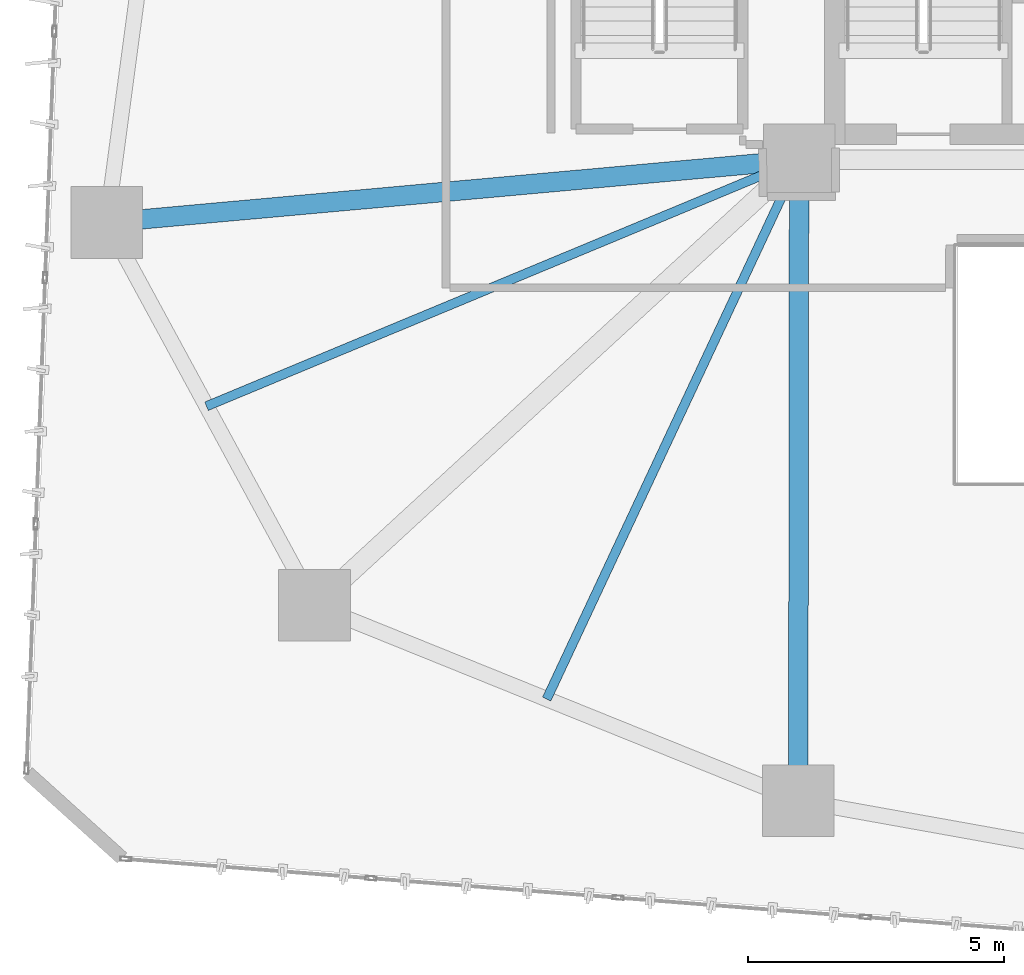
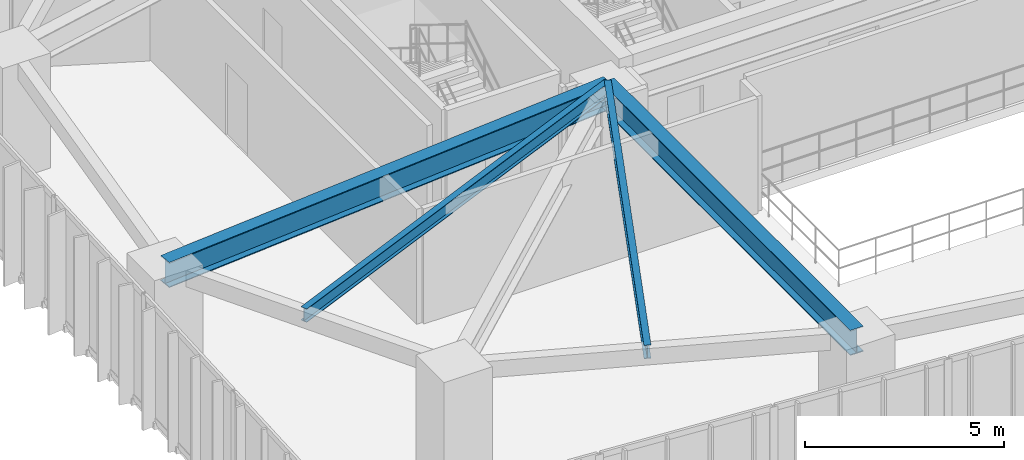
# One storey, part 4 of 23: 4 beams.
"""IFC4 building model written with IfcOpenShell, lengths in metres."""

from ifc_helpers import new_model, si_unit, direction, frame, origin, origin_2d, place, context, subcontext, project, spatial, i_section, extrude, material, material_profile, profile_set, type_object, element, save


model = new_model("IFC4")

# Units and contexts
model_context = context("Model", 3, precision=1e-05, world=origin(), true_north=direction((0.0, 1.0)))
body_context = subcontext(model_context, "Body", "Model", "MODEL_VIEW")
ifc_project = project(units=[si_unit("LENGTHUNIT", "METRE"), si_unit("AREAUNIT", "SQUARE_METRE"), si_unit("VOLUMEUNIT", "CUBIC_METRE"), si_unit("PLANEANGLEUNIT", "RADIAN"), si_unit("MASSUNIT", "GRAM", prefix="KILO")], contexts=[model_context])

# Site, building, storey
site_placement = place(None, origin())
site = spatial("IfcSite", under=ifc_project, at=site_placement, CompositionType="ELEMENT")
building_placement = place(site_placement, origin())
building = spatial("IfcBuilding", under=site, at=building_placement, Name="Talar Marvaseh", CompositionType="ELEMENT")
storey_placement = place(building_placement, frame((0.0, 0.0, 77.199951171875)))
storey = spatial("IfcBuildingStorey", under=building, at=storey_placement, Name="L19", CompositionType="ELEMENT", Elevation=77.199951171875)

# Beams
ifc_material = material(Name="Steel S355", Category="steel")
ifc_material_profile_1 = material_profile(ifc_material, i_section(OverallWidth=0.381103515625, OverallDepth=0.77294921875, WebThickness=0.0166015625, FlangeThickness=0.027099609375, at=origin_2d()), Name="W760x257")
ifc_profile_set_1 = profile_set([ifc_material_profile_1], Name="Steel S355")
beam_type_1 = type_object("IfcBeamType", Name="Zone 1 Radial Floor Girder W760x257", PredefinedType="BEAM", material=ifc_profile_set_1)
beam_1_placement = place(storey_placement, frame((18.68310546875, 12.97900390625, 3.133544921875), z_axis=(0.001345395187, 0.999999094955, 0.0), x_axis=(-0.999999094955, 0.001345395187, 0.0)))
element("IfcBeam", 1, at=beam_1_placement, inside=storey, type_object=beam_type_1, Name="L19 Zone 1 Radial Floor Girder W760x257", PredefinedType="BEAM", context=body_context, shape_type="SweptSolid", body=[
    extrude(i_section(OverallWidth=0.381103515625, OverallDepth=0.77294921875, WebThickness=0.0166015625, FlangeThickness=0.027099609375, at=origin_2d()), origin(), (0.0, 0.0, 1.0), 12.52099609375),
])
beam_2_placement = place(storey_placement, frame((5.175048828125, 24.27587890625, 3.133544921875), z_axis=(0.995929083348, 0.090140229321, 0.0), x_axis=(-0.090140229321, 0.995929083348, 0.0)))
element("IfcBeam", 2, at=beam_2_placement, inside=storey, type_object=beam_type_1, Name="L19 Zone 1 Radial Floor Girder W760x257", PredefinedType="BEAM", context=body_context, shape_type="SweptSolid", body=[
    extrude(i_section(OverallWidth=0.381103515625, OverallDepth=0.77294921875, WebThickness=0.0166015625, FlangeThickness=0.027099609375, at=origin_2d()), origin(), (0.0, 0.0, 1.0), 13.580078125),
])
ifc_material_profile_2 = material_profile(ifc_material, i_section(OverallWidth=0.179931640625, OverallDepth=0.4130859375, WebThickness=0.009765625, FlangeThickness=0.01611328125, at=origin_2d()), Name="W410x75")
ifc_profile_set_2 = profile_set([ifc_material_profile_2], Name="Steel S355")
beam_type_2 = type_object("IfcBeamType", Name="Zone 1 Secondary Floor Joist W410x75", PredefinedType="JOIST", material=ifc_profile_set_2)
beam_3_placement = place(storey_placement, frame((13.7685546875, 14.9638671875, 3.3134765625), z_axis=(0.423911170159, 0.905703770454, 0.0), x_axis=(-0.905703770454, 0.423911170159, 0.0)))
element("IfcBeam", 3, at=beam_3_placement, inside=storey, type_object=beam_type_2, Name="L19 Zone 1 Secondary Floor Joist W410x75", PredefinedType="JOIST", context=body_context, shape_type="SweptSolid", body=[
    extrude(i_section(OverallWidth=0.179931640625, OverallDepth=0.4130859375, WebThickness=0.009765625, FlangeThickness=0.01611328125, at=origin_2d()), origin(), (0.0, 0.0, 1.0), 11.633056640625),
])
beam_4_placement = place(storey_placement, frame((7.122314453125, 20.685546875, 3.3134765625), z_axis=(0.923347443105, 0.383965492346, 0.0), x_axis=(-0.383965492346, 0.923347443105, 0.0)))
element("IfcBeam", 4, at=beam_4_placement, inside=storey, type_object=beam_type_2, Name="L19 Zone 1 Secondary Floor Joist W410x75", PredefinedType="JOIST", context=body_context, shape_type="SweptSolid", body=[
    extrude(i_section(OverallWidth=0.179931640625, OverallDepth=0.4130859375, WebThickness=0.009765625, FlangeThickness=0.01611328125, at=origin_2d()), origin(), (0.0, 0.0, 1.0), 12.538818359375),
])

save(model, "model.ifc")
